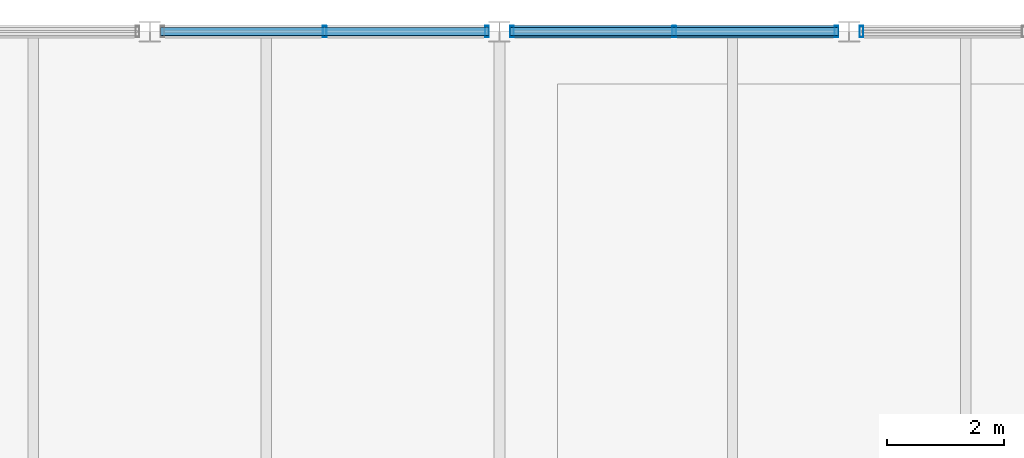
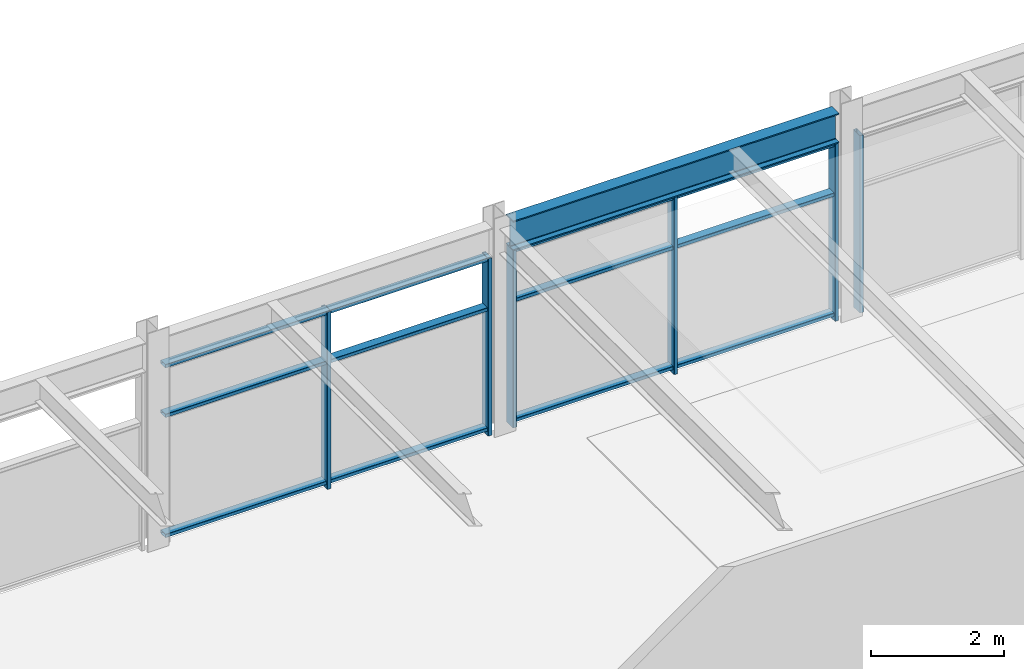
# One storey, part 15 of 23: 12 members, 1 beam, 3 elements without a shape of their own.
"""IFC4 building model written with IfcOpenShell, lengths in metres."""

from ifc_helpers import new_model, si_unit, direction, frame, origin, origin_2d, place, context, subcontext, project, spatial, hollow_rectangle, i_section, extrude, material, material_profile, profile_set, type_object, element, aggregate, save


model = new_model("IFC4")

# Units and contexts
model_context = context("Model", 3, precision=1e-05, world=origin(), true_north=direction((0.0, 1.0)))
body_context = subcontext(model_context, "Body", "Model", "MODEL_VIEW")
ifc_project = project(units=[si_unit("LENGTHUNIT", "METRE"), si_unit("AREAUNIT", "SQUARE_METRE"), si_unit("VOLUMEUNIT", "CUBIC_METRE"), si_unit("PLANEANGLEUNIT", "RADIAN"), si_unit("MASSUNIT", "GRAM", prefix="KILO")], contexts=[model_context])

# Site, building, storey
site_placement = place(None, origin())
site = spatial("IfcSite", under=ifc_project, at=site_placement, CompositionType="ELEMENT")
building_placement = place(site_placement, origin())
building = spatial("IfcBuilding", under=site, at=building_placement, Name="Girod Span Mobility Hub", CompositionType="ELEMENT")
storey_placement = place(building_placement, frame((0.0, 0.0, 65.60009765625)))
storey = spatial("IfcBuildingStorey", under=building, at=storey_placement, Name="L16", CompositionType="ELEMENT", Elevation=65.60009765625)

# Beam
ifc_material_1 = material(Name="Steel A992 Grade 50", Category="steel")
ifc_material_profile_1 = material_profile(ifc_material_1, i_section(OverallWidth=0.2119140625, OverallDepth=0.5439453125, WebThickness=0.01318359375, FlangeThickness=0.021240234375, FilletRadius=0.014892578125, at=origin_2d()), Name="W21X83")
ifc_profile_set_1 = profile_set([ifc_material_profile_1], Name="Steel A992 Grade 50")
beam_type = type_object("IfcBeamType", Name="BM-STL-W21X83", PredefinedType="SPANDREL", material=ifc_profile_set_1)
beam_placement = place(storey_placement, frame((84.181396484375, 69.0, 3.517822265625), z_axis=(1.0, 0.0, 0.0), x_axis=(0.0, 1.0, 0.0)))
element("IfcBeam", 1, at=beam_placement, inside=storey, type_object=beam_type, Name="Spandrel Beam 8-9/F-W L16", PredefinedType="SPANDREL", context=body_context, shape_type="SweptSolid", body=[
    extrude(i_section(OverallWidth=0.2119140625, OverallDepth=0.5439453125, WebThickness=0.01318359375, FlangeThickness=0.021240234375, FilletRadius=0.014892578125, at=origin_2d()), origin(), (0.0, 0.0, 1.0), 5.63720703125),
])

# Curtain wall, members
ifc_material_2 = material(Name="Thermally Broken Anodised Aluminium", Category="aluminium")
curtain_wall_type = type_object("IfcCurtainWallType", Name="CW-564X325", PredefinedType="USERDEFINED", material=ifc_material_2)
curtain_wall_1_placement = place(storey_placement, origin())
curtain_wall_1 = element("IfcCurtainWall", 2, at=curtain_wall_1_placement, inside=storey, type_object=curtain_wall_type, Name="Unitised Curtain Wall CW-L16-N07E L16", ObjectType="UNITISED CURTAIN WALL", PredefinedType="USERDEFINED")
ifc_material_3 = material(Name="Thermally Broken Anodised Aluminium", Category="aluminium")
ifc_material_profile_2 = material_profile(ifc_material_3, hollow_rectangle(XDim=0.199951171875, YDim=0.06494140625, WallThickness=0.00390625, InnerFilletRadius=0.00390625, OuterFilletRadius=0.008056640625, at=origin_2d()), Name="CW-ML-65X200")
ifc_profile_set_2 = profile_set([ifc_material_profile_2], Name="Thermally Broken Anodised Aluminium")
member_type_1 = type_object("IfcMemberType", Name="CWM-ML-1", PredefinedType="MULLION", material=ifc_profile_set_2)
member_1_placement = place(storey_placement, frame((81.0, 69.0, 0.0), z_axis=(0.0, 0.0, 1.0), x_axis=(0.0, 1.0, 0.0)))
member_1 = element("IfcMember", 3, at=member_1_placement, type_object=member_type_1, Name="Curtain Wall Mullion CW-L16-N07E-M1", PredefinedType="MULLION", context=body_context, shape_type="SweptSolid", body=[
    extrude(hollow_rectangle(XDim=0.199951171875, YDim=0.06494140625, WallThickness=0.00390625, InnerFilletRadius=0.00390625, OuterFilletRadius=0.008056640625, at=origin_2d()), origin(), (0.0, 0.0, 1.0), 3.245849609375),
])
member_2_placement = place(storey_placement, frame((83.785400390625, 69.0, 0.0), z_axis=(0.0, 0.0, 1.0), x_axis=(0.0, 1.0, 0.0)))
member_2 = element("IfcMember", 4, at=member_2_placement, type_object=member_type_1, Name="Curtain Wall Mullion CW-L16-N07E-M2", PredefinedType="MULLION", context=body_context, shape_type="SweptSolid", body=[
    extrude(hollow_rectangle(XDim=0.199951171875, YDim=0.06494140625, WallThickness=0.00390625, InnerFilletRadius=0.00390625, OuterFilletRadius=0.008056640625, at=origin_2d()), origin(), (0.0, 0.0, 1.0), 3.245849609375),
])

curtain_wall_2_placement = place(storey_placement, origin())
curtain_wall_2 = element("IfcCurtainWall", 5, at=curtain_wall_2_placement, inside=storey, type_object=curtain_wall_type, Name="Unitised Curtain Wall CW-L16-N08W L16", ObjectType="UNITISED CURTAIN WALL", PredefinedType="USERDEFINED")
member_3_placement = place(storey_placement, frame((84.214599609375, 69.0, 0.0), z_axis=(0.0, 0.0, 1.0), x_axis=(0.0, 1.0, 0.0)))
member_3 = element("IfcMember", 6, at=member_3_placement, type_object=member_type_1, Name="Curtain Wall Mullion CW-L16-N08W-M0", PredefinedType="MULLION", context=body_context, shape_type="SweptSolid", body=[
    extrude(hollow_rectangle(XDim=0.199951171875, YDim=0.06494140625, WallThickness=0.00390625, InnerFilletRadius=0.00390625, OuterFilletRadius=0.008056640625, at=origin_2d()), origin(), (0.0, 0.0, 1.0), 3.245849609375),
])
member_4_placement = place(storey_placement, frame((87.0, 69.0, 0.0), z_axis=(0.0, 0.0, 1.0), x_axis=(0.0, 1.0, 0.0)))
member_4 = element("IfcMember", 7, at=member_4_placement, type_object=member_type_1, Name="Curtain Wall Mullion CW-L16-N08W-M1", PredefinedType="MULLION", context=body_context, shape_type="SweptSolid", body=[
    extrude(hollow_rectangle(XDim=0.199951171875, YDim=0.06494140625, WallThickness=0.00390625, InnerFilletRadius=0.00390625, OuterFilletRadius=0.008056640625, at=origin_2d()), origin(), (0.0, 0.0, 1.0), 3.245849609375),
])
member_5_placement = place(storey_placement, frame((89.785400390625, 69.0, 0.0), z_axis=(0.0, 0.0, 1.0), x_axis=(0.0, 1.0, 0.0)))
member_5 = element("IfcMember", 8, at=member_5_placement, type_object=member_type_1, Name="Curtain Wall Mullion CW-L16-N08W-M2", PredefinedType="MULLION", context=body_context, shape_type="SweptSolid", body=[
    extrude(hollow_rectangle(XDim=0.199951171875, YDim=0.06494140625, WallThickness=0.00390625, InnerFilletRadius=0.00390625, OuterFilletRadius=0.008056640625, at=origin_2d()), origin(), (0.0, 0.0, 1.0), 3.245849609375),
])

# Curtain wall, member
curtain_wall_3_placement = place(storey_placement, origin())
curtain_wall_3 = element("IfcCurtainWall", 9, at=curtain_wall_3_placement, inside=storey, type_object=curtain_wall_type, Name="Unitised Curtain Wall CW-L16-N08E L16", ObjectType="UNITISED CURTAIN WALL", PredefinedType="USERDEFINED")
member_6_placement = place(storey_placement, frame((90.214599609375, 69.0, 0.0), z_axis=(0.0, 0.0, 1.0), x_axis=(0.0, 1.0, 0.0)))
member_6 = element("IfcMember", 10, at=member_6_placement, type_object=member_type_1, Name="Curtain Wall Mullion CW-L16-N08E-M0", PredefinedType="MULLION", context=body_context, shape_type="SweptSolid", body=[
    extrude(hollow_rectangle(XDim=0.199951171875, YDim=0.06494140625, WallThickness=0.00390625, InnerFilletRadius=0.00390625, OuterFilletRadius=0.008056640625, at=origin_2d()), origin(), (0.0, 0.0, 1.0), 3.245849609375),
])
aggregate(curtain_wall_3, [member_6])

# Member
ifc_material_4 = material(Name="Thermally Broken Anodised Aluminium", Category="aluminium")
ifc_material_profile_3 = material_profile(ifc_material_4, hollow_rectangle(XDim=0.14990234375, YDim=0.06494140625, WallThickness=0.00390625, InnerFilletRadius=0.00390625, OuterFilletRadius=0.008056640625, at=origin_2d()), Name="CW-TR-65X150")
ifc_profile_set_3 = profile_set([ifc_material_profile_3], Name="Thermally Broken Anodised Aluminium")
member_type_2 = type_object("IfcMemberType", Name="CWM-TR-1", PredefinedType="USERDEFINED", material=ifc_profile_set_3)
member_7_placement = place(storey_placement, frame((78.1826171875, 69.0, 0.107421875), z_axis=(1.0, 0.0, 0.0), x_axis=(0.0, 1.0, 0.0)))
member_7 = element("IfcMember", 11, at=member_7_placement, type_object=member_type_2, Name="Curtain Wall Transom CW-L16-N07E-T1", ObjectType="TRANSOM", PredefinedType="USERDEFINED", context=body_context, shape_type="SweptSolid", body=[
    extrude(hollow_rectangle(XDim=0.14990234375, YDim=0.06494140625, WallThickness=0.00390625, InnerFilletRadius=0.00390625, OuterFilletRadius=0.008056640625, at=origin_2d()), origin(), (0.0, 0.0, 1.0), 5.634765625),
])

member_8_placement = place(storey_placement, frame((78.1826171875, 69.0, 2.304443359375), z_axis=(1.0, 0.0, 0.0), x_axis=(0.0, 1.0, 0.0)))
member_8 = element("IfcMember", 12, at=member_8_placement, type_object=member_type_2, Name="Curtain Wall Transom CW-L16-N07E-T2", ObjectType="TRANSOM", PredefinedType="USERDEFINED", context=body_context, shape_type="SweptSolid", body=[
    extrude(hollow_rectangle(XDim=0.14990234375, YDim=0.06494140625, WallThickness=0.00390625, InnerFilletRadius=0.00390625, OuterFilletRadius=0.008056640625, at=origin_2d()), origin(), (0.0, 0.0, 1.0), 5.634765625),
])

member_9_placement = place(storey_placement, frame((78.1826171875, 69.0, 3.21337890625), z_axis=(1.0, 0.0, 0.0), x_axis=(0.0, 1.0, 0.0)))
member_9 = element("IfcMember", 13, at=member_9_placement, type_object=member_type_2, Name="Curtain Wall Transom CW-L16-N07E-T3", ObjectType="TRANSOM", PredefinedType="USERDEFINED", context=body_context, shape_type="SweptSolid", body=[
    extrude(hollow_rectangle(XDim=0.14990234375, YDim=0.06494140625, WallThickness=0.00390625, InnerFilletRadius=0.00390625, OuterFilletRadius=0.008056640625, at=origin_2d()), origin(), (0.0, 0.0, 1.0), 5.634765625),
])

aggregate(curtain_wall_1, [member_1, member_2, member_7, member_8, member_9])

member_10_placement = place(storey_placement, frame((84.1826171875, 69.0, 0.107421875), z_axis=(1.0, 0.0, 0.0), x_axis=(0.0, 1.0, 0.0)))
member_10 = element("IfcMember", 14, at=member_10_placement, type_object=member_type_2, Name="Curtain Wall Transom CW-L16-N08W-T1", ObjectType="TRANSOM", PredefinedType="USERDEFINED", context=body_context, shape_type="SweptSolid", body=[
    extrude(hollow_rectangle(XDim=0.14990234375, YDim=0.06494140625, WallThickness=0.00390625, InnerFilletRadius=0.00390625, OuterFilletRadius=0.008056640625, at=origin_2d()), origin(), (0.0, 0.0, 1.0), 5.634765625),
])

member_11_placement = place(storey_placement, frame((84.1826171875, 69.0, 2.304443359375), z_axis=(1.0, 0.0, 0.0), x_axis=(0.0, 1.0, 0.0)))
member_11 = element("IfcMember", 15, at=member_11_placement, type_object=member_type_2, Name="Curtain Wall Transom CW-L16-N08W-T2", ObjectType="TRANSOM", PredefinedType="USERDEFINED", context=body_context, shape_type="SweptSolid", body=[
    extrude(hollow_rectangle(XDim=0.14990234375, YDim=0.06494140625, WallThickness=0.00390625, InnerFilletRadius=0.00390625, OuterFilletRadius=0.008056640625, at=origin_2d()), origin(), (0.0, 0.0, 1.0), 5.634765625),
])

member_12_placement = place(storey_placement, frame((84.1826171875, 69.0, 3.21337890625), z_axis=(1.0, 0.0, 0.0), x_axis=(0.0, 1.0, 0.0)))
member_12 = element("IfcMember", 16, at=member_12_placement, type_object=member_type_2, Name="Curtain Wall Transom CW-L16-N08W-T3", ObjectType="TRANSOM", PredefinedType="USERDEFINED", context=body_context, shape_type="SweptSolid", body=[
    extrude(hollow_rectangle(XDim=0.14990234375, YDim=0.06494140625, WallThickness=0.00390625, InnerFilletRadius=0.00390625, OuterFilletRadius=0.008056640625, at=origin_2d()), origin(), (0.0, 0.0, 1.0), 5.634765625),
])

aggregate(curtain_wall_2, [member_3, member_4, member_5, member_10, member_11, member_12])

save(model, "model.ifc")
